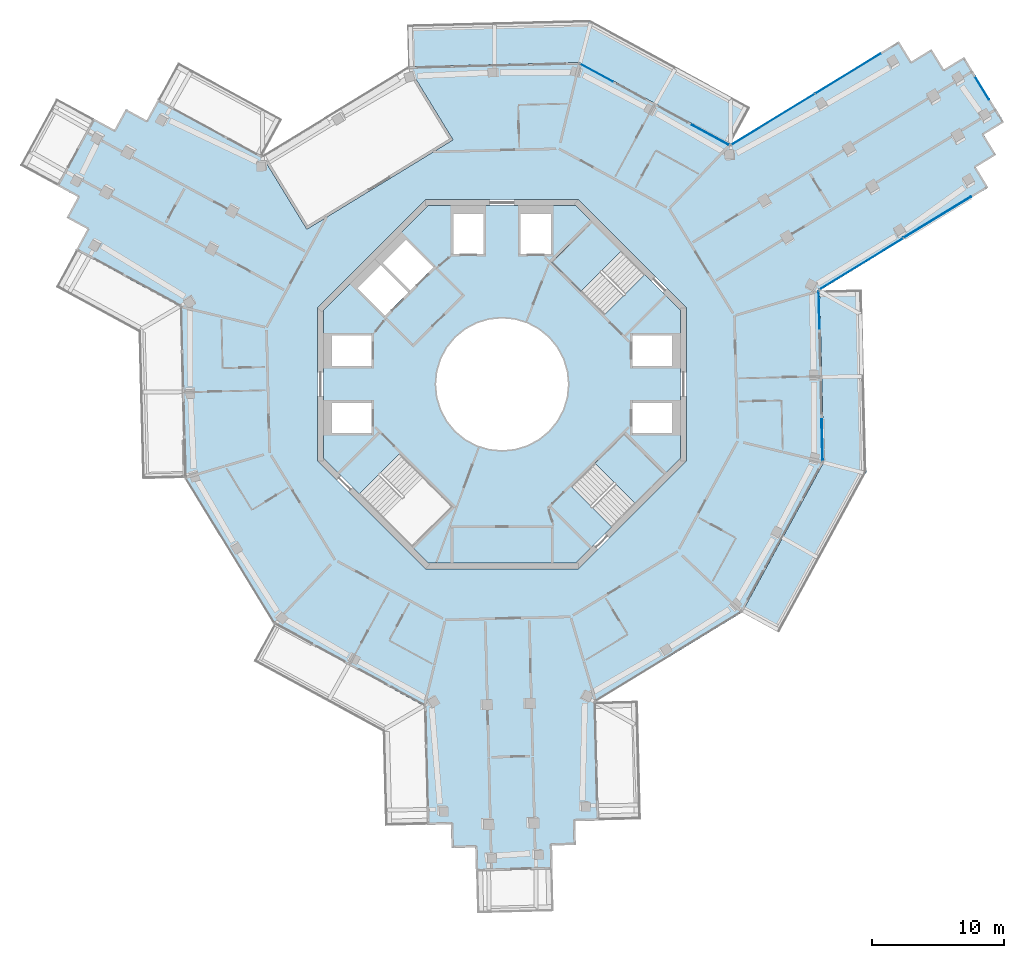
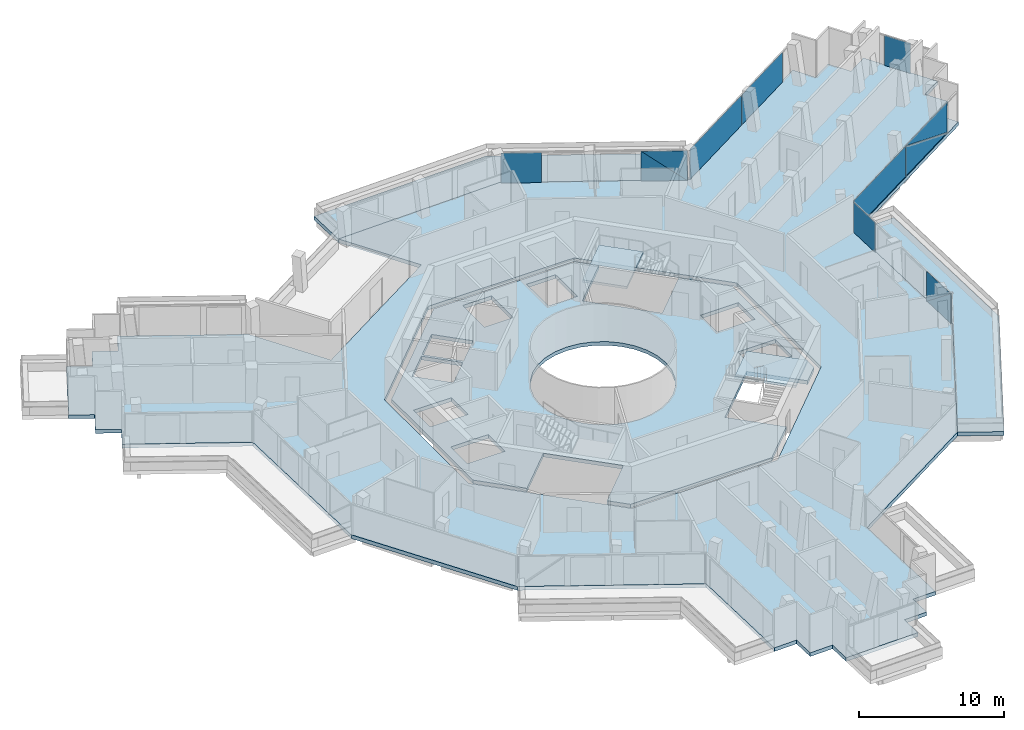
# One storey, part 15 of 26: 12 plates, 6 slabs, 7 elements without a shape of their own.
"""IFC4 building model written with IfcOpenShell, lengths in metres."""

from ifc_helpers import new_model, si_unit, direction, frame, origin, origin_2d, place, context, subcontext, project, spatial, polyline, rectangle, outline, extrude, material, layer, layer_set, type_object, element, aggregate, save


model = new_model("IFC4")

# Units and contexts
model_context = context("Model", 3, precision=1e-05, world=origin(), true_north=direction((0.0, 1.0)))
body_context = subcontext(model_context, "Body", "Model", "MODEL_VIEW")
ifc_project = project(units=[si_unit("LENGTHUNIT", "METRE"), si_unit("AREAUNIT", "SQUARE_METRE"), si_unit("VOLUMEUNIT", "CUBIC_METRE"), si_unit("PLANEANGLEUNIT", "RADIAN"), si_unit("MASSUNIT", "GRAM", prefix="KILO")], contexts=[model_context])

# Site, building, storey
site_placement = place(None, origin())
site = spatial("IfcSite", under=ifc_project, at=site_placement, CompositionType="ELEMENT")
building_placement = place(site_placement, origin())
building = spatial("IfcBuilding", under=site, at=building_placement, Name="Verdalira Terraces Hotel", CompositionType="ELEMENT")
storey_placement = place(building_placement, frame((0.0, 0.0, 284.5)))
storey = spatial("IfcBuildingStorey", under=building, at=storey_placement, Name="L70", CompositionType="ELEMENT", Elevation=284.5)

# Slabs
ifc_material_1 = material(Name="Precast concrete C40/50", Category="concrete")
ifc_layer_1 = layer(ifc_material_1, 0.31005859375)
ifc_layer_set_1 = layer_set([ifc_layer_1], Name="Balcony deck 310")
slab_type_1 = type_object("IfcSlabType", Name="Balcony deck 310", PredefinedType="FLOOR", material=ifc_layer_set_1)
slab_1_placement = place(storey_placement, frame((0.0, 0.0, -0.310059)))
element("IfcSlab", 1, at=slab_1_placement, inside=storey, type_object=slab_type_1, Name="Balcony deck", PredefinedType="FLOOR", context=body_context, shape_type="SweptSolid", body=[
    extrude(outline(polyline([(27.286377, 7.187988), (24.087402, 7.107666), (24.414062, -5.888428), (18.198975, -17.306396), (21.009521, -18.836426), (27.634521, -6.665039), (27.286377, 7.187988)])), origin(), (0.0, 0.0, 1.0), 0.310059),
])
slab_2_placement = place(storey_placement, frame((0.0, 0.0, -0.310059)))
element("IfcSlab", 2, at=slab_2_placement, inside=storey, type_object=slab_type_1, Name="Balcony deck", PredefinedType="FLOOR", context=body_context, shape_type="SweptSolid", body=[
    extrude(outline(polyline([(-7.187988, 27.286377), (-7.107666, 24.087402), (5.888428, 24.414062), (17.306396, 18.198975), (18.836426, 21.009521), (6.665039, 27.634521), (-7.187988, 27.286377)])), origin(), (0.0, 0.0, 1.0), 0.310059),
])

# Curtain wall, plates
ifc_material_2 = material(Name="Clear glass", Category="glass")
ifc_layer_2 = layer(ifc_material_2, 0.14990234375)
ifc_layer_set_2 = layer_set([ifc_layer_2], Name="CW1 curtain wall")
curtain_wall_type_1 = type_object("IfcCurtainWallType", Name="CW1 curtain wall", PredefinedType="NOTDEFINED", material=ifc_layer_set_2)
curtain_wall_1_placement = place(storey_placement, origin())
curtain_wall_1 = element("IfcCurtainWall", 3, at=curtain_wall_1_placement, inside=storey, type_object=curtain_wall_type_1, Name="CW1 curtain wall L70 edge 27", PredefinedType="NOTDEFINED")
ifc_material_3 = material(Name="Clear glass", Category="glass")
ifc_layer_3 = layer(ifc_material_3, 0.028076171875)
ifc_layer_set_3 = layer_set([ifc_layer_3], Name="CW1 glass unit 28")
plate_type_1 = type_object("IfcPlateType", Name="CW1 glass unit 28", PredefinedType="CURTAIN_PANEL", material=ifc_layer_set_3)
plate_1_placement = place(storey_placement, frame((24.282959, -4.21582, 1.262451), z_axis=(0.999684189, 0.025130095, 0.0), x_axis=(-0.025130095, 0.999684189, 0.0)))
plate_1 = element("IfcPlate", 4, at=plate_1_placement, type_object=plate_type_1, Name="CW1 glass unit", PredefinedType="CURTAIN_PANEL", context=body_context, shape_type="SweptSolid", body=[
    extrude(outline(polyline([(-1.574951, -1.262451), (1.574951, -1.262451), (-1.574951, 1.262451), (-1.574951, -1.262451)])), origin(), (0.0, 0.0, 1.0), 0.028076),
])
plate_2_placement = place(storey_placement, frame((24.253906, -4.216553, 1.262451), z_axis=(0.999684189, 0.025130095, 0.0), x_axis=(-0.025130095, 0.999684189, 0.0)))
plate_2 = element("IfcPlate", 5, at=plate_2_placement, type_object=plate_type_1, Name="CW1 glass unit", PredefinedType="CURTAIN_PANEL", context=body_context, shape_type="SweptSolid", body=[
    extrude(outline(polyline([(1.574951, -1.262451), (1.574951, 1.262451), (-1.574951, 1.262451), (1.574951, -1.262451)])), origin(), (0.0, 0.0, 1.0), 0.028076),
])
plate_3_placement = place(storey_placement, frame((24.049316, 5.631836, 0.0), z_axis=(0.0, 0.0, 1.0), x_axis=(-0.025130095, 0.999684189, 0.0)))
plate_3 = element("IfcPlate", 6, at=plate_3_placement, type_object=plate_type_1, Name="CW1 glass unit", PredefinedType="CURTAIN_PANEL", context=body_context, shape_type="SweptSolid", body=[
    extrude(rectangle(XDim=2.828613, YDim=0.028076, at=origin_2d()), origin(), (0.0, 0.0, 1.0), 2.524902),
])
aggregate(curtain_wall_1, [plate_1, plate_2, plate_3])

curtain_wall_2_placement = place(storey_placement, origin())
curtain_wall_2 = element("IfcCurtainWall", 7, at=curtain_wall_2_placement, inside=storey, type_object=curtain_wall_type_1, Name="CW1 curtain wall L70 edge 39", PredefinedType="NOTDEFINED")
plate_4_placement = place(storey_placement, frame((15.810303, 18.911865, 1.262451), z_axis=(0.478078794, 0.878316951, 0.0), x_axis=(-0.878316951, 0.478078794, 0.0)))
plate_4 = element("IfcPlate", 8, at=plate_4_placement, type_object=plate_type_1, Name="CW1 glass unit", PredefinedType="CURTAIN_PANEL", context=body_context, shape_type="SweptSolid", body=[
    extrude(outline(polyline([(-1.594971, -1.262451), (1.594971, -1.262451), (1.594971, 1.262451), (-1.594971, -1.262451)])), origin(), (0.0, 0.0, 1.0), 0.028076),
])
plate_5_placement = place(storey_placement, frame((15.796387, 18.886475, 1.262451), z_axis=(0.478078794, 0.878316951, 0.0), x_axis=(-0.878316951, 0.478078794, 0.0)))
plate_5 = element("IfcPlate", 9, at=plate_5_placement, type_object=plate_type_1, Name="CW1 glass unit", PredefinedType="CURTAIN_PANEL", context=body_context, shape_type="SweptSolid", body=[
    extrude(outline(polyline([(-1.594971, -1.262451), (1.594971, 1.262451), (-1.594971, 1.262451), (-1.594971, -1.262451)])), origin(), (0.0, 0.0, 1.0), 0.028076),
])
plate_6_placement = place(storey_placement, frame((7.165039, 23.633789, 0.0), z_axis=(0.0, 0.0, 1.0), x_axis=(-0.878316951, 0.478078794, 0.0)))
plate_6 = element("IfcPlate", 10, at=plate_6_placement, type_object=plate_type_1, Name="CW1 glass unit", PredefinedType="CURTAIN_PANEL", context=body_context, shape_type="SweptSolid", body=[
    extrude(rectangle(XDim=2.788574, YDim=0.028076, at=origin_2d()), origin(), (0.0, 0.0, 1.0), 2.524902),
])
aggregate(curtain_wall_2, [plate_4, plate_5, plate_6])

ifc_material_4 = material(Name="Clear glass", Category="glass")
ifc_layer_4 = layer(ifc_material_4, 0.14990234375)
ifc_layer_set_4 = layer_set([ifc_layer_4], Name="CW2 curtain wall")
curtain_wall_type_2 = type_object("IfcCurtainWallType", Name="CW2 curtain wall", PredefinedType="NOTDEFINED", material=ifc_layer_set_4)
curtain_wall_3_placement = place(storey_placement, origin())
curtain_wall_3 = element("IfcCurtainWall", 11, at=curtain_wall_3_placement, inside=storey, type_object=curtain_wall_type_2, Name="CW2 curtain wall L70 edge 28", PredefinedType="NOTDEFINED")
ifc_material_5 = material(Name="Clear glass", Category="glass")
ifc_layer_5 = layer(ifc_material_5, 0.031982421875)
ifc_layer_set_5 = layer_set([ifc_layer_5], Name="CW2 glass unit 32")
plate_type_2 = type_object("IfcPlateType", Name="CW2 glass unit 32", PredefinedType="CURTAIN_PANEL", material=ifc_layer_set_5)
plate_7_placement = place(storey_placement, frame((27.261719, 9.13623, 0.0), z_axis=(0.0, 0.0, 1.0), x_axis=(0.853186856, 0.521605396, 0.0)))
plate_7 = element("IfcPlate", 12, at=plate_7_placement, type_object=plate_type_2, Name="CW2 glass unit", PredefinedType="CURTAIN_PANEL", context=body_context, shape_type="SweptSolid", body=[
    extrude(rectangle(XDim=7.392822, YDim=0.031982, at=origin_2d()), origin(), (0.0, 0.0, 1.0), 2.524902),
])
plate_8_placement = place(storey_placement, frame((33.014893, 12.672119, 1.262451), z_axis=(0.521605396, -0.853186856, 0.0), x_axis=(0.853186856, 0.521605396, 0.0)))
plate_8 = element("IfcPlate", 13, at=plate_8_placement, type_object=plate_type_2, Name="CW2 glass unit", PredefinedType="CURTAIN_PANEL", context=body_context, shape_type="SweptSolid", body=[
    extrude(outline(polyline([(-2.986328, -1.262451), (2.986328, -1.262451), (-2.986328, 1.262451), (-2.986328, -1.262451)])), origin(), (0.0, 0.0, 1.0), 0.031982),
])
plate_9_placement = place(storey_placement, frame((32.997559, 12.700195, 1.262451), z_axis=(0.521605396, -0.853186856, 0.0), x_axis=(0.853186856, 0.521605396, 0.0)))
plate_9 = element("IfcPlate", 14, at=plate_9_placement, type_object=plate_type_2, Name="CW2 glass unit", PredefinedType="CURTAIN_PANEL", context=body_context, shape_type="SweptSolid", body=[
    extrude(outline(polyline([(2.986328, -1.262451), (2.986328, 1.262451), (-2.986328, 1.262451), (2.986328, -1.262451)])), origin(), (0.0, 0.0, 1.0), 0.031982),
])
aggregate(curtain_wall_3, [plate_7, plate_8, plate_9])

curtain_wall_4_placement = place(storey_placement, origin())
curtain_wall_4 = element("IfcCurtainWall", 15, at=curtain_wall_4_placement, inside=storey, type_object=curtain_wall_type_2, Name="CW2 curtain wall L70 edge 38", PredefinedType="NOTDEFINED")
plate_10_placement = place(storey_placement, frame((26.260742, 23.585449, 0.0), z_axis=(0.0, 0.0, 1.0), x_axis=(-0.853186856, -0.521605396, 0.0)))
plate_10 = element("IfcPlate", 16, at=plate_10_placement, type_object=plate_type_2, Name="CW2 glass unit", PredefinedType="CURTAIN_PANEL", context=body_context, shape_type="SweptSolid", body=[
    extrude(rectangle(XDim=5.833008, YDim=0.031982, at=origin_2d()), origin(), (0.0, 0.0, 1.0), 2.524902),
])
plate_11_placement = place(storey_placement, frame((20.559082, 20.099609, 0.0), z_axis=(0.0, 0.0, 1.0), x_axis=(-0.853186856, -0.521605396, 0.0)))
plate_11 = element("IfcPlate", 17, at=plate_11_placement, type_object=plate_type_2, Name="CW2 glass unit", PredefinedType="CURTAIN_PANEL", context=body_context, shape_type="SweptSolid", body=[
    extrude(rectangle(XDim=7.392822, YDim=0.031982, at=origin_2d()), origin(), (0.0, 0.0, 1.0), 2.524902),
])
aggregate(curtain_wall_4, [plate_10, plate_11])

# Curtain wall, plate
ifc_material_6 = material(Name="Clear glass", Category="glass")
ifc_layer_6 = layer(ifc_material_6, 0.14990234375)
ifc_layer_set_6 = layer_set([ifc_layer_6], Name="CW3 curtain wall")
curtain_wall_type_3 = type_object("IfcCurtainWallType", Name="CW3 curtain wall", PredefinedType="NOTDEFINED", material=ifc_layer_set_6)
curtain_wall_5_placement = place(storey_placement, origin())
curtain_wall_5 = element("IfcCurtainWall", 18, at=curtain_wall_5_placement, inside=storey, type_object=curtain_wall_type_3, Name="CW3 curtain wall L70 edge 33", PredefinedType="NOTDEFINED")
ifc_material_7 = material(Name="Clear glass", Category="glass")
ifc_layer_7 = layer(ifc_material_7, 0.035888671875)
ifc_layer_set_7 = layer_set([ifc_layer_7], Name="CW3 glass unit 36")
plate_type_3 = type_object("IfcPlateType", Name="CW3 glass unit 36", PredefinedType="CURTAIN_PANEL", material=ifc_layer_set_7)
plate_12_placement = place(storey_placement, frame((36.398682, 22.477295, 0.0), z_axis=(0.0, 0.0, 1.0), x_axis=(-0.521605396, 0.853186856, 0.0)))
plate_12 = element("IfcPlate", 19, at=plate_12_placement, type_object=plate_type_3, Name="CW3 glass unit", PredefinedType="CURTAIN_PANEL", context=body_context, shape_type="SweptSolid", body=[
    extrude(rectangle(XDim=2.036621, YDim=0.035889, at=origin_2d()), origin(), (0.0, 0.0, 1.0), 2.524902),
])
aggregate(curtain_wall_5, [plate_12])

# Slab
ifc_material_8 = material(Name="Concrete C40", Category="concrete")
ifc_layer_8 = layer(ifc_material_8, 0.31005859375)
ifc_layer_set_8 = layer_set([ifc_layer_8], Name="Core floor slab 310 mm")
slab_type_2 = type_object("IfcSlabType", Name="Core floor slab 310 mm", PredefinedType="FLOOR", material=ifc_layer_set_8)
slab_3_placement = place(storey_placement, frame((0.0, 0.0, -0.310059)))
element("IfcSlab", 20, at=slab_3_placement, inside=storey, type_object=slab_type_2, Name="L70 core floor", PredefinedType="FLOOR", context=body_context, shape_type="SweptSolid", body=[
    extrude(outline(polyline([(-6.809326, -12.353271), (-3.719482, -9.263184), (-7.746094, -5.236572), (-10.836182, -8.326416), (-13.550049, -5.612549), (-13.550049, 5.612549), (-5.612549, 13.550049), (5.612549, 13.550049), (6.809326, 12.353271), (3.719482, 9.263184), (7.746094, 5.236572), (10.836182, 8.326416), (13.550049, 5.612549), (13.550049, -5.612549), (12.353271, -6.809326), (9.263184, -3.719482), (5.236572, -7.746094), (8.326416, -10.836182), (5.612549, -13.550049), (-5.612549, -13.550049), (-6.809326, -12.353271)]), holes=[polyline([(9.899902, -1.399902), (9.899902, -3.699951), (12.899902, -3.699951), (12.899902, -1.399902), (9.899902, -1.399902)]), polyline([(9.899902, 3.699951), (9.899902, 1.399902), (12.899902, 1.399902), (12.899902, 3.699951), (9.899902, 3.699951)]), polyline([(3.699951, 12.899902), (1.399902, 12.899902), (1.399902, 9.899902), (3.699951, 9.899902), (3.699951, 12.899902)]), polyline([(-1.399902, 12.899902), (-3.699951, 12.899902), (-3.699951, 9.899902), (-1.399902, 9.899902), (-1.399902, 12.899902)]), polyline([(-9.899902, 1.399902), (-9.899902, 3.699951), (-12.899902, 3.699951), (-12.899902, 1.399902), (-9.899902, 1.399902)]), polyline([(-9.899902, -3.699951), (-9.899902, -1.399902), (-12.899902, -1.399902), (-12.899902, -3.699951), (-9.899902, -3.699951)]), polyline([(-9.051025, 9.192383), (-6.965088, 7.106445), (-5.197266, 8.874268), (-7.283203, 10.960205), (-9.051025, 9.192383)]), polyline([(-9.192383, 9.051025), (-10.960205, 7.283203), (-8.874268, 5.197266), (-7.106445, 6.965088), (-9.192383, 9.051025)]), polyline([(3.5354, 3.5354), (2.777832, 4.157227), (1.91333, 4.619385), (0.975586, 4.903809), (0.0, 5.0), (-0.975586, 4.903809), (-1.91333, 4.619385), (-2.777832, 4.157227), (-3.5354, 3.5354), (-4.157227, 2.777832), (-4.619385, 1.91333), (-4.903809, 0.975586), (-5.0, 0.0), (-4.903809, -0.975586), (-4.619385, -1.91333), (-4.157227, -2.777832), (-3.5354, -3.5354), (-2.777832, -4.157227), (-1.91333, -4.619385), (-0.975586, -4.903809), (0.0, -5.0), (0.975586, -4.903809), (1.91333, -4.619385), (2.777832, -4.157227), (3.5354, -3.5354), (4.157227, -2.777832), (4.619385, -1.91333), (4.903809, -0.975586), (5.0, 0.0), (4.903809, 0.975586), (4.619385, 1.91333), (4.157227, 2.777832), (3.5354, 3.5354)])]), origin(), (0.0, 0.0, 1.0), 0.310059),
])

# Stair, slab
ifc_material_9 = material(Name="Concrete C40", Category="concrete")
stair_type = type_object("IfcStairType", Name="Core stair 20 risers 2125 mm wide", PredefinedType="HALF_TURN_STAIR", material=ifc_material_9)
stair_1_placement = place(storey_placement, origin())
stair_1 = element("IfcStair", 21, at=stair_1_placement, inside=storey, type_object=stair_type, Name="L70 Exit stair ST1", PredefinedType="HALF_TURN_STAIR")
ifc_material_10 = material(Name="Concrete C40", Category="concrete")
ifc_layer_9 = layer(ifc_material_10, 0.199951171875)
ifc_layer_set_9 = layer_set([ifc_layer_9], Name="Core stair landing 200 mm")
slab_type_3 = type_object("IfcSlabType", Name="Core stair landing 200 mm", PredefinedType="LANDING", material=ifc_layer_set_9)
slab_4_placement = place(storey_placement, frame((0.0, 0.0, 1.550049)))
slab_4 = element("IfcSlab", 22, at=slab_4_placement, type_object=slab_type_3, Name="ST1 landing 1", PredefinedType="LANDING", context=body_context, shape_type="SweptSolid", body=[
    extrude(outline(polyline([(9.054932, 10.107666), (6.823486, 12.339111), (3.747559, 9.263184), (5.979004, 7.031738), (9.054932, 10.107666)])), origin(), (0.0, 0.0, 1.0), 0.199951),
])
aggregate(stair_1, [slab_4])

stair_2_placement = place(storey_placement, origin())
stair_2 = element("IfcStair", 23, at=stair_2_placement, inside=storey, type_object=stair_type, Name="L70 Exit stair ST3", PredefinedType="HALF_TURN_STAIR")
slab_5_placement = place(storey_placement, frame((0.0, 0.0, 1.550049)))
slab_5 = element("IfcSlab", 24, at=slab_5_placement, type_object=slab_type_3, Name="ST3 landing 1", PredefinedType="LANDING", context=body_context, shape_type="SweptSolid", body=[
    extrude(outline(polyline([(10.107666, -9.054932), (12.339111, -6.823486), (9.263184, -3.747559), (7.031738, -5.979004), (10.107666, -9.054932)])), origin(), (0.0, 0.0, 1.0), 0.199951),
])
aggregate(stair_2, [slab_5])

# Slab
ifc_material_11 = material(Name="Concrete C40", Category="concrete")
ifc_layer_10 = layer(ifc_material_11, 0.31005859375)
ifc_layer_set_10 = layer_set([ifc_layer_10], Name="Floor slab 310 C40")
slab_type_4 = type_object("IfcSlabType", Name="Floor slab 310 C40", PredefinedType="FLOOR", material=ifc_layer_set_10)
slab_6_placement = place(storey_placement, frame((0.0, 0.0, -0.310059)))
element("IfcSlab", 25, at=slab_6_placement, inside=storey, type_object=slab_type_4, Name="Floor slab L70", PredefinedType="FLOOR", context=body_context, shape_type="SweptSolid", body=[
    extrude(outline(polyline([(17.306396, 18.198975), (5.888184, 24.414062), (-7.106934, 24.087402), (-3.716309, 18.541504), (-14.808594, 11.76001), (-18.199707, 17.306641), (-18.199463, 17.306641), (-26.100098, 21.607178), (-26.960693, 20.026123), (-28.541504, 20.886719), (-29.4021, 19.305664), (-30.983154, 20.16626), (-33.756104, 15.072021), (-32.175049, 14.211426), (-33.035645, 12.630615), (-31.45459, 11.77002), (-32.315186, 10.188965), (-24.414062, 5.888184), (-24.087402, -7.107666), (-17.306396, -18.198975), (-5.888184, -24.414062), (-5.662354, -33.406982), (-3.862793, -33.361816), (-3.817627, -35.161133), (-2.018311, -35.115967), (-1.9729, -36.915283), (3.825195, -36.769531), (3.780029, -34.970215), (5.579346, -34.924805), (5.53418, -33.125488), (7.333496, -33.080322), (7.107666, -24.087402), (18.198975, -17.306396), (24.414062, -5.888184), (24.087402, 7.107666), (36.881592, 14.929443), (35.942627, 16.465088), (37.478516, 17.404053), (36.539551, 18.939697), (38.075195, 19.878662), (35.049805, 24.827148), (33.51416, 23.888184), (32.575195, 25.424072), (31.039551, 24.485107), (30.100586, 26.020996), (17.306396, 18.198975)]), holes=[polyline([(5.799072, 14.0), (14.0, 5.799072), (14.0, -5.799072), (5.799072, -14.0), (-5.799072, -14.0), (-14.0, -5.799072), (-14.0, 5.799072), (-5.799072, 14.0), (5.799072, 14.0)])]), origin(), (0.0, 0.0, 1.0), 0.310059),
])

save(model, "model.ifc")
